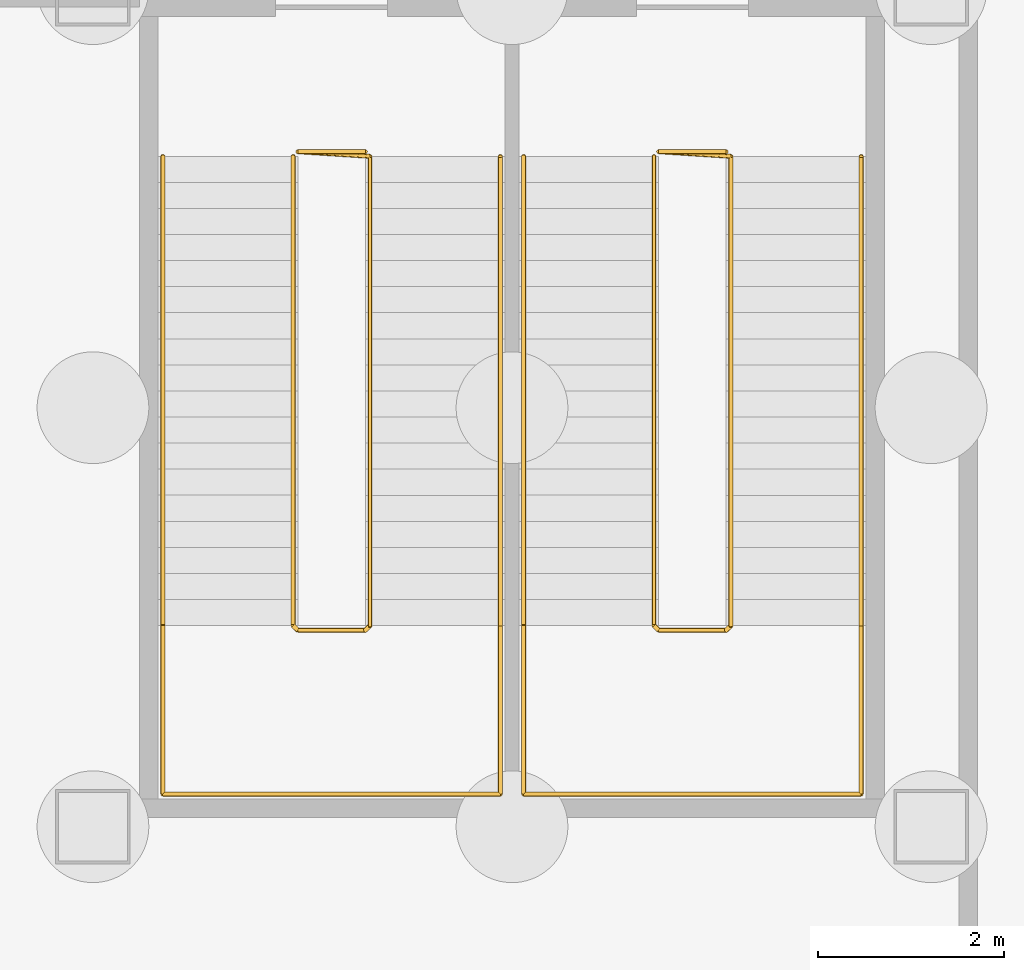
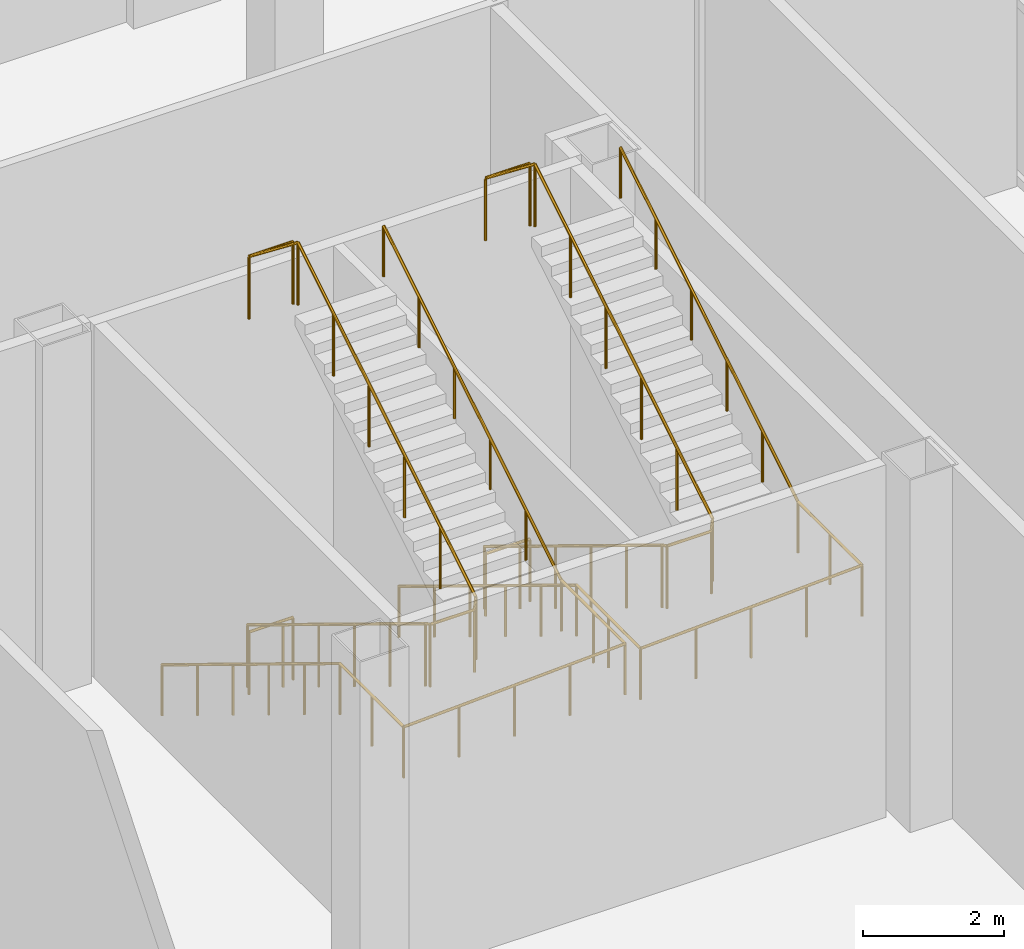
# One storey, part 33 of 37: 6 railings.
"""IFC4 building model written with IfcOpenShell, lengths in metres."""

import ifcopenshell
import ifcopenshell.guid

model = None  # the IFC model being written
_history = None  # IfcOwnerHistory: only IFC2X3 demands one
_inside = {}  # id of a spatial element -> (the spatial element, [elements in it])
_under = {}  # id of a project, library or spatial element -> (it, [spatial elements below it])
_declared = {}  # id of a project -> (the project, [libraries it declares])
_typed = {}  # id of a type object -> (the type object, [elements of that type])
_made_of = {}  # id of a material, layer set ... -> (it, [elements and type objects made of it])


def new_model(schema):
    """Start an empty IFC model of exactly this schema.

    Asked for "IFC4X3", IfcOpenShell would pick the latest addendum, in which some entities
    have other attributes; the version numbers below select the first issue.
    IFC2X3 requires an IfcOwnerHistory on every rooted entity: one is made here for all.
    """
    global model, _history
    if schema == "IFC4X3":
        model = ifcopenshell.file(schema_version=(4, 3, 0, 0))
    else:
        model = ifcopenshell.file(schema=schema)
    _inside.clear()
    _under.clear()
    _declared.clear()
    _typed.clear()
    _made_of.clear()
    _history = None
    if model.schema == "IFC2X3":
        org = make("IfcOrganization", Name="unknown")
        user = make(
            "IfcPersonAndOrganization",
            ThePerson=make("IfcPerson", FamilyName="unknown"),
            TheOrganization=org,
        )
        app = make(
            "IfcApplication",
            ApplicationDeveloper=org,
            Version="unknown",
            ApplicationFullName="unknown",
            ApplicationIdentifier="unknown",
        )
        _history = make(
            "IfcOwnerHistory",
            OwningUser=user,
            OwningApplication=app,
            ChangeAction="ADDED",
            CreationDate=0,
        )
    return model


def make(cls, **values):
    """One entity of the class cls with the attributes given. An attribute that is None is left unset."""
    return model.create_entity(
        cls, **{name: value for name, value in values.items() if value is not None}
    )


def rooted(cls, **values):
    """An entity with a GlobalId (a new one), such as an element, a storey or a relation."""
    return make(cls, GlobalId=ifcopenshell.guid.new(), OwnerHistory=_history, **values)


def si_unit(unit_type, name, prefix=None):
    """IfcSIUnit, for example si_unit("LENGTHUNIT", "METRE", prefix="MILLI")."""
    return make("IfcSIUnit", UnitType=unit_type, Prefix=prefix, Name=name)


def assignment(units):
    """IfcUnitAssignment: the units of a project."""
    return None if units is None else make("IfcUnitAssignment", Units=units)


def point(xyz):
    """IfcCartesianPoint."""
    return None if xyz is None else make("IfcCartesianPoint", Coordinates=xyz)


def direction(xyz):
    """IfcDirection."""
    return None if xyz is None else make("IfcDirection", DirectionRatios=xyz)


def frame(location, z_axis=None, x_axis=None):
    """IfcAxis2Placement3D, a coordinate frame: its origin and axes. An axis left out is left unset."""
    return make(
        "IfcAxis2Placement3D",
        Location=point(location),
        Axis=direction(z_axis),
        RefDirection=direction(x_axis),
    )


def frame_2d(location, x_axis=None):
    """IfcAxis2Placement2D, a coordinate frame in the plane: its origin and x axis."""
    return make(
        "IfcAxis2Placement2D", Location=point(location), RefDirection=direction(x_axis)
    )


def origin():
    """The frame at (0, 0, 0) with its axes left unset."""
    return frame((0.0, 0.0, 0.0))


def origin_2d():
    """The frame at (0, 0) in the plane with its x axis left unset."""
    return frame_2d((0.0, 0.0))


def place(relative_to, where):
    """IfcLocalPlacement: puts the frame where relative to a parent placement (None: the world)."""
    return make(
        "IfcLocalPlacement", PlacementRelTo=relative_to, RelativePlacement=where
    )


def context(
    kind, dimensions, precision=None, world=None, true_north=None, identifier=None
):
    """IfcGeometricRepresentationContext, for example the 3D "Model" context."""
    return make(
        "IfcGeometricRepresentationContext",
        ContextIdentifier=identifier,
        ContextType=kind,
        CoordinateSpaceDimension=dimensions,
        Precision=precision,
        WorldCoordinateSystem=world,
        TrueNorth=true_north,
    )


def subcontext(parent, identifier, kind, view, scale=None):
    """IfcGeometricRepresentationSubContext, for example "Body" below "Model"."""
    return make(
        "IfcGeometricRepresentationSubContext",
        ContextIdentifier=identifier,
        ContextType=kind,
        ParentContext=parent,
        TargetScale=scale,
        TargetView=view,
    )


def project(units=None, contexts=None):
    """IfcProject with its units and contexts."""
    return rooted(
        "IfcProject",
        Name="project",
        RepresentationContexts=contexts,
        UnitsInContext=assignment(units),
    )


def spatial(cls, under=None, at=None, **own):
    """A site, building, storey or space (cls), placed at a placement, below another one or the project."""
    s = rooted(cls, ObjectPlacement=at, **own)
    if under is not None:
        _under.setdefault(under.id(), (under, []))[1].append(s)
    return s


def profile(cls, at=None, kind="AREA", **sizes):
    """A parametric profile (cls). Its sizes go by their IFC names, for example OverallWidth=200.0."""
    return make(cls, ProfileType=kind, Position=at, **sizes)


def circle(**sizes):
    """IfcCircleProfileDef."""
    return profile("IfcCircleProfileDef", **sizes)


def extrude(swept, where, along, depth):
    """IfcExtrudedAreaSolid: the profile swept, set in the frame where, extruded along a direction by depth."""
    return make(
        "IfcExtrudedAreaSolid",
        SweptArea=swept,
        Position=where,
        ExtrudedDirection=direction(along),
        Depth=depth,
    )


def shape(context_of_items, identifier, shape_type, items):
    """IfcShapeRepresentation: the items that make up one representation, for example the "Body"."""
    return make(
        "IfcShapeRepresentation",
        ContextOfItems=context_of_items,
        RepresentationIdentifier=identifier,
        RepresentationType=shape_type,
        Items=items,
    )


def material(Name=None, Category=None):
    """IfcMaterial."""
    return make("IfcMaterial", Name=Name, Category=Category)


def made_of(thing, what):
    """Note that an element or type object is made of a material, layer set ...; save() writes the relation."""
    if what is not None:
        _made_of.setdefault(what.id(), (what, []))[1].append(thing)
    return thing


def type_object(cls, material=None, **own):
    """A type object (cls), such as IfcWallType, which elements share."""
    return made_of(rooted(cls, **own), material)


def element(
    cls,
    number,
    at=None,
    inside=None,
    cuts=None,
    type_object=None,
    material=None,
    context=None,
    identifier="Body",
    shape_type=None,
    held_by="IfcProductDefinitionShape",
    body=None,
    shapes=None,
    **own,
):
    """One element of the class cls, such as IfcWall. Its Tag is "e" and its number.

    at: its placement. inside: the storey or other place that contains it. cuts: it is an
    opening in that element (IfcRelVoidsElement). A single representation is given by context,
    identifier, shape_type and body (its items); several are given by shapes. held_by: the class
    of the entity that holds the representations. save() writes the other relations.
    """
    e = rooted(cls, Tag="e%d" % number, ObjectPlacement=at, **own)
    if body is not None:
        shapes = [shape(context, identifier, shape_type, body)]
    if shapes is not None:
        e.Representation = make(held_by, Representations=shapes)
    if inside is not None:
        _inside.setdefault(inside.id(), (inside, []))[1].append(e)
    if cuts is not None:
        rooted(
            "IfcRelVoidsElement", RelatingBuildingElement=cuts, RelatedOpeningElement=e
        )
    if type_object is not None:
        _typed.setdefault(type_object.id(), (type_object, []))[1].append(e)
    return made_of(e, material)


def aggregate(whole, parts):
    """IfcRelAggregates: a whole, such as a stair, and the parts it consists of."""
    return rooted("IfcRelAggregates", RelatingObject=whole, RelatedObjects=parts)


def save(model, path):
    """Write the relations noted so far, then the file.

    IfcRelAggregates (storeys below a building ...), IfcRelContainedInSpatialStructure (elements
    in a storey), IfcRelDefinesByType, IfcRelAssociatesMaterial and IfcRelDeclares: one each for
    every whole, place, type object, material and project.
    """
    for whole, parts in _under.values():
        aggregate(whole, parts)
    for where, things in _inside.values():
        rooted(
            "IfcRelContainedInSpatialStructure",
            RelatedElements=things,
            RelatingStructure=where,
        )
    for kind, things in _typed.values():
        rooted("IfcRelDefinesByType", RelatedObjects=things, RelatingType=kind)
    for what, things in _made_of.values():
        rooted("IfcRelAssociatesMaterial", RelatedObjects=things, RelatingMaterial=what)
    for by, libraries in _declared.values():
        rooted("IfcRelDeclares", RelatingContext=by, RelatedDefinitions=libraries)
    model.write(path)


model = new_model("IFC4")

# Units and contexts
model_context = context("Model", 3, precision=1e-05, world=origin(), true_north=direction((0.0, 1.0)))
body_context = subcontext(model_context, "Body", "Model", "MODEL_VIEW")
ifc_project = project(units=[si_unit("LENGTHUNIT", "METRE"), si_unit("AREAUNIT", "SQUARE_METRE"), si_unit("VOLUMEUNIT", "CUBIC_METRE"), si_unit("PLANEANGLEUNIT", "RADIAN"), si_unit("MASSUNIT", "GRAM", prefix="KILO")], contexts=[model_context])

# Site, building, storey
site_placement = place(None, origin())
site = spatial("IfcSite", under=ifc_project, at=site_placement, CompositionType="ELEMENT")
building_placement = place(site_placement, origin())
building = spatial("IfcBuilding", under=site, at=building_placement, Name="Shamsa Quay Exchange Towers", CompositionType="ELEMENT")
storey_placement = place(building_placement, origin())
storey = spatial("IfcBuildingStorey", under=building, at=storey_placement, Name="L00", CompositionType="ELEMENT", Elevation=0.0)

# Railings
ifc_material = material(Name="Stainless steel", Category="steel")
railing_type_1 = type_object("IfcRailingType", Name="STAIR GUARD 1100", PredefinedType="GUARDRAIL", material=ifc_material)
railing_1_placement = place(storey_placement, frame((47.14990234375, -22.050048828125, 0.171142578125)))
element("IfcRailing", 1, at=railing_1_placement, inside=storey, type_object=railing_type_1, Name="L00 PS6A stair guard 1", PredefinedType="GUARDRAIL", context=body_context, shape_type="SweptSolid", body=[
    extrude(circle(Radius=0.02392578125, at=origin_2d()), frame((0.0, 0.0, 1.076171875), z_axis=(0.0, -0.853369698388, 0.521306203564), x_axis=(1.0, 0.0, 0.0)), (0.0, 0.0, 1.0), 5.906005859375),
    extrude(circle(Radius=0.02392578125, at=origin_2d()), frame((0.0, -5.0400390625, 4.15478515625), z_axis=(0.708833529934, -0.705375805398, 0.0), x_axis=(0.705375805398, 0.708833529934, 0.0)), (0.0, 0.0, 1.0), 0.070556640625),
    extrude(circle(Radius=0.02392578125, at=origin_2d()), frame((0.050048828125, -5.08984375, 4.15478515625), z_axis=(1.0, 0.0, 0.0), x_axis=(0.0, 1.0, 0.0)), (0.0, 0.0, 1.0), 0.72509765625),
    extrude(circle(Radius=0.02392578125, at=origin_2d()), frame((0.775146484375, -5.08984375, 4.15478515625), z_axis=(0.270336121127, 0.269017408341, 0.924417662977), x_axis=(-0.705375805398, 0.708833529934, 0.0)), (0.0, 0.0, 1.0), 0.18505859375),
    extrude(circle(Radius=0.02392578125, at=origin_2d()), frame((0.8251953125, -5.0400390625, 4.326171875), z_axis=(0.0, 0.853369698388, 0.521306203564), x_axis=(-1.0, 0.0, 0.0)), (0.0, 0.0, 1.0), 5.906005859375),
    extrude(circle(Radius=0.02392578125, at=origin_2d()), frame((0.8251953125, 0.0, 7.40478515625), z_axis=(-0.997922050633, 0.064432762324, 0.0), x_axis=(-0.064432762324, -0.997922050633, 0.0)), (0.0, 0.0, 1.0), 0.77685546875),
    extrude(circle(Radius=0.02392578125, at=origin_2d()), frame((0.050048828125, 0.050048828125, 7.40478515625), z_axis=(1.0, 0.0, 0.0), x_axis=(0.0, 1.0, 0.0)), (0.0, 0.0, 1.0), 0.72509765625),
    extrude(circle(Radius=0.02099609375, at=origin_2d()), origin(), (0.0, 0.0, 1.0), 1.052001953125),
    extrude(circle(Radius=0.02099609375, at=origin_2d()), frame((0.0, -1.008056640625, 0.61572265625)), (0.0, 0.0, 1.0), 1.052001953125),
    extrude(circle(Radius=0.02099609375, at=origin_2d()), frame((0.0, -2.01611328125, 1.2314453125)), (0.0, 0.0, 1.0), 1.052001953125),
    extrude(circle(Radius=0.02099609375, at=origin_2d()), frame((0.0, -3.02392578125, 1.847412109375)), (0.0, 0.0, 1.0), 1.052001953125),
    extrude(circle(Radius=0.02099609375, at=origin_2d()), frame((0.0, -4.031982421875, 2.463134765625)), (0.0, 0.0, 1.0), 1.052001953125),
    extrude(circle(Radius=0.02099609375, at=origin_2d()), frame((0.0, -5.0400390625, 3.078857421875)), (0.0, 0.0, 1.0), 1.052001953125),
    extrude(circle(Radius=0.02099609375, at=origin_2d()), frame((0.050048828125, -5.08984375, 3.078857421875)), (0.0, 0.0, 1.0), 1.052001953125),
    extrude(circle(Radius=0.02099609375, at=origin_2d()), frame((0.775146484375, -5.08984375, 3.078857421875)), (0.0, 0.0, 1.0), 1.052001953125),
    extrude(circle(Radius=0.02099609375, at=origin_2d()), frame((0.8251953125, -5.0400390625, 3.25)), (0.0, 0.0, 1.0), 1.052001953125),
    extrude(circle(Radius=0.02099609375, at=origin_2d()), frame((0.8251953125, -4.031982421875, 3.86572265625)), (0.0, 0.0, 1.0), 1.052001953125),
    extrude(circle(Radius=0.02099609375, at=origin_2d()), frame((0.8251953125, -3.02392578125, 4.4814453125)), (0.0, 0.0, 1.0), 1.052001953125),
    extrude(circle(Radius=0.02099609375, at=origin_2d()), frame((0.8251953125, -2.01611328125, 5.097412109375)), (0.0, 0.0, 1.0), 1.052001953125),
    extrude(circle(Radius=0.02099609375, at=origin_2d()), frame((0.8251953125, -1.008056640625, 5.713134765625)), (0.0, 0.0, 1.0), 1.052001953125),
    extrude(circle(Radius=0.02099609375, at=origin_2d()), frame((0.8251953125, 0.0, 6.328857421875)), (0.0, 0.0, 1.0), 1.052001953125),
    extrude(circle(Radius=0.02099609375, at=origin_2d()), frame((0.050048828125, 0.050048828125, 6.328857421875)), (0.0, 0.0, 1.0), 1.052001953125),
    extrude(circle(Radius=0.02099609375, at=origin_2d()), frame((0.775146484375, 0.050048828125, 6.328857421875)), (0.0, 0.0, 1.0), 1.052001953125),
])
railing_2_placement = place(storey_placement, frame((47.199951171875, -22.0, 0.0)))
element("IfcRailing", 2, at=railing_2_placement, inside=storey, type_object=railing_type_1, Name="L00 PS6A stair guard 2", PredefinedType="GUARDRAIL", context=body_context, shape_type="SweptSolid", body=[
    extrude(circle(Radius=0.02392578125, at=origin_2d()), frame((0.0, 0.0, 1.076171875), z_axis=(1.0, 0.0, 0.0), x_axis=(0.0, 1.0, 0.0)), (0.0, 0.0, 1.0), 0.72509765625),
    extrude(circle(Radius=0.02099609375, at=origin_2d()), origin(), (0.0, 0.0, 1.0), 1.052001953125),
    extrude(circle(Radius=0.02099609375, at=origin_2d()), frame((0.72509765625, 0.0, 0.0)), (0.0, 0.0, 1.0), 1.052001953125),
])
railing_3_placement = place(storey_placement, frame((51.02490234375, -22.050048828125, 0.171142578125)))
element("IfcRailing", 3, at=railing_3_placement, inside=storey, type_object=railing_type_1, Name="L00 PS6B stair guard 1", PredefinedType="GUARDRAIL", context=body_context, shape_type="SweptSolid", body=[
    extrude(circle(Radius=0.02392578125, at=origin_2d()), frame((0.0, 0.0, 1.076171875), z_axis=(0.0, -0.853369698388, 0.521306203564), x_axis=(1.0, 0.0, 0.0)), (0.0, 0.0, 1.0), 5.906005859375),
    extrude(circle(Radius=0.02392578125, at=origin_2d()), frame((0.0, -5.0400390625, 4.15478515625), z_axis=(0.708833529934, -0.705375805398, 0.0), x_axis=(0.705375805398, 0.708833529934, 0.0)), (0.0, 0.0, 1.0), 0.070556640625),
    extrude(circle(Radius=0.02392578125, at=origin_2d()), frame((0.050048828125, -5.08984375, 4.15478515625), z_axis=(1.0, 0.0, 0.0), x_axis=(0.0, 1.0, 0.0)), (0.0, 0.0, 1.0), 0.72509765625),
    extrude(circle(Radius=0.02392578125, at=origin_2d()), frame((0.775146484375, -5.08984375, 4.15478515625), z_axis=(0.270336121127, 0.269017408341, 0.924417662977), x_axis=(-0.705375805398, 0.708833529934, 0.0)), (0.0, 0.0, 1.0), 0.18505859375),
    extrude(circle(Radius=0.02392578125, at=origin_2d()), frame((0.8251953125, -5.0400390625, 4.326171875), z_axis=(0.0, 0.853369698388, 0.521306203564), x_axis=(-1.0, 0.0, 0.0)), (0.0, 0.0, 1.0), 5.906005859375),
    extrude(circle(Radius=0.02392578125, at=origin_2d()), frame((0.8251953125, 0.0, 7.40478515625), z_axis=(-0.997922050633, 0.064432762324, 0.0), x_axis=(-0.064432762324, -0.997922050633, 0.0)), (0.0, 0.0, 1.0), 0.77685546875),
    extrude(circle(Radius=0.02392578125, at=origin_2d()), frame((0.050048828125, 0.050048828125, 7.40478515625), z_axis=(1.0, 0.0, 0.0), x_axis=(0.0, 1.0, 0.0)), (0.0, 0.0, 1.0), 0.72509765625),
    extrude(circle(Radius=0.02099609375, at=origin_2d()), origin(), (0.0, 0.0, 1.0), 1.052001953125),
    extrude(circle(Radius=0.02099609375, at=origin_2d()), frame((0.0, -1.008056640625, 0.61572265625)), (0.0, 0.0, 1.0), 1.052001953125),
    extrude(circle(Radius=0.02099609375, at=origin_2d()), frame((0.0, -2.01611328125, 1.2314453125)), (0.0, 0.0, 1.0), 1.052001953125),
    extrude(circle(Radius=0.02099609375, at=origin_2d()), frame((0.0, -3.02392578125, 1.847412109375)), (0.0, 0.0, 1.0), 1.052001953125),
    extrude(circle(Radius=0.02099609375, at=origin_2d()), frame((0.0, -4.031982421875, 2.463134765625)), (0.0, 0.0, 1.0), 1.052001953125),
    extrude(circle(Radius=0.02099609375, at=origin_2d()), frame((0.0, -5.0400390625, 3.078857421875)), (0.0, 0.0, 1.0), 1.052001953125),
    extrude(circle(Radius=0.02099609375, at=origin_2d()), frame((0.050048828125, -5.08984375, 3.078857421875)), (0.0, 0.0, 1.0), 1.052001953125),
    extrude(circle(Radius=0.02099609375, at=origin_2d()), frame((0.775146484375, -5.08984375, 3.078857421875)), (0.0, 0.0, 1.0), 1.052001953125),
    extrude(circle(Radius=0.02099609375, at=origin_2d()), frame((0.8251953125, -5.0400390625, 3.25)), (0.0, 0.0, 1.0), 1.052001953125),
    extrude(circle(Radius=0.02099609375, at=origin_2d()), frame((0.8251953125, -4.031982421875, 3.86572265625)), (0.0, 0.0, 1.0), 1.052001953125),
    extrude(circle(Radius=0.02099609375, at=origin_2d()), frame((0.8251953125, -3.02392578125, 4.4814453125)), (0.0, 0.0, 1.0), 1.052001953125),
    extrude(circle(Radius=0.02099609375, at=origin_2d()), frame((0.8251953125, -2.01611328125, 5.097412109375)), (0.0, 0.0, 1.0), 1.052001953125),
    extrude(circle(Radius=0.02099609375, at=origin_2d()), frame((0.8251953125, -1.008056640625, 5.713134765625)), (0.0, 0.0, 1.0), 1.052001953125),
    extrude(circle(Radius=0.02099609375, at=origin_2d()), frame((0.8251953125, 0.0, 6.328857421875)), (0.0, 0.0, 1.0), 1.052001953125),
    extrude(circle(Radius=0.02099609375, at=origin_2d()), frame((0.050048828125, 0.050048828125, 6.328857421875)), (0.0, 0.0, 1.0), 1.052001953125),
    extrude(circle(Radius=0.02099609375, at=origin_2d()), frame((0.775146484375, 0.050048828125, 6.328857421875)), (0.0, 0.0, 1.0), 1.052001953125),
])
railing_4_placement = place(storey_placement, frame((51.074951171875, -22.0, 0.0)))
element("IfcRailing", 4, at=railing_4_placement, inside=storey, type_object=railing_type_1, Name="L00 PS6B stair guard 2", PredefinedType="GUARDRAIL", context=body_context, shape_type="SweptSolid", body=[
    extrude(circle(Radius=0.02392578125, at=origin_2d()), frame((0.0, 0.0, 1.076171875), z_axis=(1.0, 0.0, 0.0), x_axis=(0.0, 1.0, 0.0)), (0.0, 0.0, 1.0), 0.72509765625),
    extrude(circle(Radius=0.02099609375, at=origin_2d()), origin(), (0.0, 0.0, 1.0), 1.052001953125),
    extrude(circle(Radius=0.02099609375, at=origin_2d()), frame((0.72509765625, 0.0, 0.0)), (0.0, 0.0, 1.0), 1.052001953125),
])
railing_type_2 = type_object("IfcRailingType", Name="STAIR HANDRAIL 900", PredefinedType="HANDRAIL", material=ifc_material)
railing_5_placement = place(storey_placement, frame((45.75, -22.050048828125, 0.171142578125)))
element("IfcRailing", 5, at=railing_5_placement, inside=storey, type_object=railing_type_2, Name="L00 PS6A stair handrail 1", PredefinedType="HANDRAIL", context=body_context, shape_type="SweptSolid", body=[
    extrude(circle(Radius=0.02392578125, at=origin_2d()), frame((0.0, 0.0, 0.8759765625), z_axis=(0.0, -0.853369698388, 0.521306203564), x_axis=(1.0, 0.0, 0.0)), (0.0, 0.0, 1.0), 5.906005859375),
    extrude(circle(Radius=0.02392578125, at=origin_2d()), frame((0.0, -5.0400390625, 3.95458984375), z_axis=(0.0, -1.0, 0.0), x_axis=(1.0, 0.0, 0.0)), (0.0, 0.0, 1.0), 1.809814453125),
    extrude(circle(Radius=0.02392578125, at=origin_2d()), frame((0.0, -6.849853515625, 3.95458984375), z_axis=(0.998887385161, 0.0, 0.047159217201), x_axis=(0.0, 1.0, 0.0)), (0.0, 0.0, 1.0), 3.629150390625),
    extrude(circle(Radius=0.02392578125, at=origin_2d()), frame((3.625, -6.849853515625, 4.1259765625), z_axis=(0.0, 1.0, 0.0), x_axis=(-1.0, 0.0, 0.0)), (0.0, 0.0, 1.0), 1.809814453125),
    extrude(circle(Radius=0.02392578125, at=origin_2d()), frame((3.625, -5.0400390625, 4.1259765625), z_axis=(0.0, 0.853369698388, 0.521306203564), x_axis=(-1.0, 0.0, 0.0)), (0.0, 0.0, 1.0), 5.906005859375),
    extrude(circle(Radius=0.02099609375, at=origin_2d()), origin(), (0.0, 0.0, 1.0), 0.851806640625),
    extrude(circle(Radius=0.02099609375, at=origin_2d()), frame((0.0, -1.008056640625, 0.61572265625)), (0.0, 0.0, 1.0), 0.851806640625),
    extrude(circle(Radius=0.02099609375, at=origin_2d()), frame((0.0, -2.01611328125, 1.2314453125)), (0.0, 0.0, 1.0), 0.851806640625),
    extrude(circle(Radius=0.02099609375, at=origin_2d()), frame((0.0, -3.02392578125, 1.847412109375)), (0.0, 0.0, 1.0), 0.851806640625),
    extrude(circle(Radius=0.02099609375, at=origin_2d()), frame((0.0, -4.031982421875, 2.463134765625)), (0.0, 0.0, 1.0), 0.851806640625),
    extrude(circle(Radius=0.02099609375, at=origin_2d()), frame((0.0, -5.0400390625, 3.078857421875)), (0.0, 0.0, 1.0), 0.851806640625),
    extrude(circle(Radius=0.02099609375, at=origin_2d()), frame((0.0, -5.94482421875, 3.078857421875)), (0.0, 0.0, 1.0), 0.851806640625),
    extrude(circle(Radius=0.02099609375, at=origin_2d()), frame((0.0, -6.849853515625, 3.078857421875)), (0.0, 0.0, 1.0), 0.851806640625),
    extrude(circle(Radius=0.02099609375, at=origin_2d()), frame((0.90625, -6.849853515625, 3.12158203125)), (0.0, 0.0, 1.0), 0.851806640625),
    extrude(circle(Radius=0.02099609375, at=origin_2d()), frame((1.8125, -6.849853515625, 3.16455078125)), (0.0, 0.0, 1.0), 0.851806640625),
    extrude(circle(Radius=0.02099609375, at=origin_2d()), frame((2.71875, -6.849853515625, 3.207275390625)), (0.0, 0.0, 1.0), 0.851806640625),
    extrude(circle(Radius=0.02099609375, at=origin_2d()), frame((3.625, -6.849853515625, 3.25)), (0.0, 0.0, 1.0), 0.851806640625),
    extrude(circle(Radius=0.02099609375, at=origin_2d()), frame((3.625, -5.94482421875, 3.25)), (0.0, 0.0, 1.0), 0.851806640625),
    extrude(circle(Radius=0.02099609375, at=origin_2d()), frame((3.625, -5.0400390625, 3.25)), (0.0, 0.0, 1.0), 0.851806640625),
    extrude(circle(Radius=0.02099609375, at=origin_2d()), frame((3.625, -4.031982421875, 3.86572265625)), (0.0, 0.0, 1.0), 0.851806640625),
    extrude(circle(Radius=0.02099609375, at=origin_2d()), frame((3.625, -3.02392578125, 4.4814453125)), (0.0, 0.0, 1.0), 0.851806640625),
    extrude(circle(Radius=0.02099609375, at=origin_2d()), frame((3.625, -2.01611328125, 5.097412109375)), (0.0, 0.0, 1.0), 0.851806640625),
    extrude(circle(Radius=0.02099609375, at=origin_2d()), frame((3.625, -1.008056640625, 5.713134765625)), (0.0, 0.0, 1.0), 0.851806640625),
    extrude(circle(Radius=0.02099609375, at=origin_2d()), frame((3.625, 0.0, 6.328857421875)), (0.0, 0.0, 1.0), 0.851806640625),
])
railing_6_placement = place(storey_placement, frame((49.625, -22.050048828125, 0.171142578125)))
element("IfcRailing", 6, at=railing_6_placement, inside=storey, type_object=railing_type_2, Name="L00 PS6B stair handrail 1", PredefinedType="HANDRAIL", context=body_context, shape_type="SweptSolid", body=[
    extrude(circle(Radius=0.02392578125, at=origin_2d()), frame((0.0, 0.0, 0.8759765625), z_axis=(0.0, -0.853369698388, 0.521306203564), x_axis=(1.0, 0.0, 0.0)), (0.0, 0.0, 1.0), 5.906005859375),
    extrude(circle(Radius=0.02392578125, at=origin_2d()), frame((0.0, -5.0400390625, 3.95458984375), z_axis=(0.0, -1.0, 0.0), x_axis=(1.0, 0.0, 0.0)), (0.0, 0.0, 1.0), 1.809814453125),
    extrude(circle(Radius=0.02392578125, at=origin_2d()), frame((0.0, -6.849853515625, 3.95458984375), z_axis=(0.998887385161, 0.0, 0.047159217201), x_axis=(0.0, 1.0, 0.0)), (0.0, 0.0, 1.0), 3.629150390625),
    extrude(circle(Radius=0.02392578125, at=origin_2d()), frame((3.625, -6.849853515625, 4.1259765625), z_axis=(0.0, 1.0, 0.0), x_axis=(-1.0, 0.0, 0.0)), (0.0, 0.0, 1.0), 1.809814453125),
    extrude(circle(Radius=0.02392578125, at=origin_2d()), frame((3.625, -5.0400390625, 4.1259765625), z_axis=(0.0, 0.853369698388, 0.521306203564), x_axis=(-1.0, 0.0, 0.0)), (0.0, 0.0, 1.0), 5.906005859375),
    extrude(circle(Radius=0.02099609375, at=origin_2d()), origin(), (0.0, 0.0, 1.0), 0.851806640625),
    extrude(circle(Radius=0.02099609375, at=origin_2d()), frame((0.0, -1.008056640625, 0.61572265625)), (0.0, 0.0, 1.0), 0.851806640625),
    extrude(circle(Radius=0.02099609375, at=origin_2d()), frame((0.0, -2.01611328125, 1.2314453125)), (0.0, 0.0, 1.0), 0.851806640625),
    extrude(circle(Radius=0.02099609375, at=origin_2d()), frame((0.0, -3.02392578125, 1.847412109375)), (0.0, 0.0, 1.0), 0.851806640625),
    extrude(circle(Radius=0.02099609375, at=origin_2d()), frame((0.0, -4.031982421875, 2.463134765625)), (0.0, 0.0, 1.0), 0.851806640625),
    extrude(circle(Radius=0.02099609375, at=origin_2d()), frame((0.0, -5.0400390625, 3.078857421875)), (0.0, 0.0, 1.0), 0.851806640625),
    extrude(circle(Radius=0.02099609375, at=origin_2d()), frame((0.0, -5.94482421875, 3.078857421875)), (0.0, 0.0, 1.0), 0.851806640625),
    extrude(circle(Radius=0.02099609375, at=origin_2d()), frame((0.0, -6.849853515625, 3.078857421875)), (0.0, 0.0, 1.0), 0.851806640625),
    extrude(circle(Radius=0.02099609375, at=origin_2d()), frame((0.90625, -6.849853515625, 3.12158203125)), (0.0, 0.0, 1.0), 0.851806640625),
    extrude(circle(Radius=0.02099609375, at=origin_2d()), frame((1.8125, -6.849853515625, 3.16455078125)), (0.0, 0.0, 1.0), 0.851806640625),
    extrude(circle(Radius=0.02099609375, at=origin_2d()), frame((2.71875, -6.849853515625, 3.207275390625)), (0.0, 0.0, 1.0), 0.851806640625),
    extrude(circle(Radius=0.02099609375, at=origin_2d()), frame((3.625, -6.849853515625, 3.25)), (0.0, 0.0, 1.0), 0.851806640625),
    extrude(circle(Radius=0.02099609375, at=origin_2d()), frame((3.625, -5.94482421875, 3.25)), (0.0, 0.0, 1.0), 0.851806640625),
    extrude(circle(Radius=0.02099609375, at=origin_2d()), frame((3.625, -5.0400390625, 3.25)), (0.0, 0.0, 1.0), 0.851806640625),
    extrude(circle(Radius=0.02099609375, at=origin_2d()), frame((3.625, -4.031982421875, 3.86572265625)), (0.0, 0.0, 1.0), 0.851806640625),
    extrude(circle(Radius=0.02099609375, at=origin_2d()), frame((3.625, -3.02392578125, 4.4814453125)), (0.0, 0.0, 1.0), 0.851806640625),
    extrude(circle(Radius=0.02099609375, at=origin_2d()), frame((3.625, -2.01611328125, 5.097412109375)), (0.0, 0.0, 1.0), 0.851806640625),
    extrude(circle(Radius=0.02099609375, at=origin_2d()), frame((3.625, -1.008056640625, 5.713134765625)), (0.0, 0.0, 1.0), 0.851806640625),
    extrude(circle(Radius=0.02099609375, at=origin_2d()), frame((3.625, 0.0, 6.328857421875)), (0.0, 0.0, 1.0), 0.851806640625),
])

save(model, "model.ifc")
